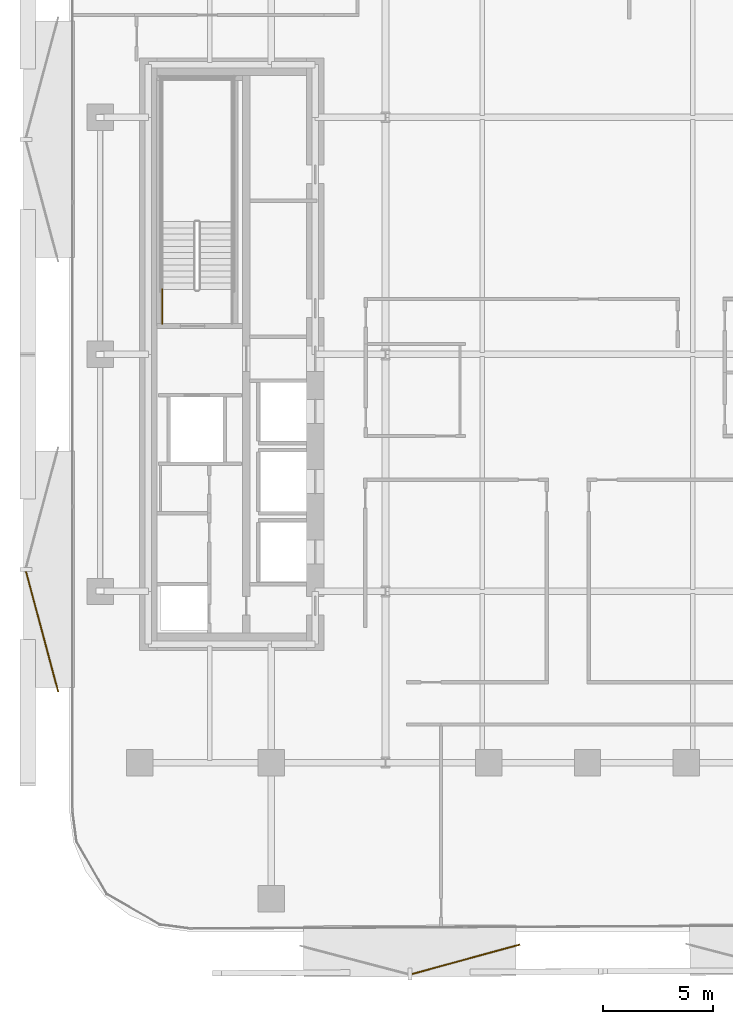
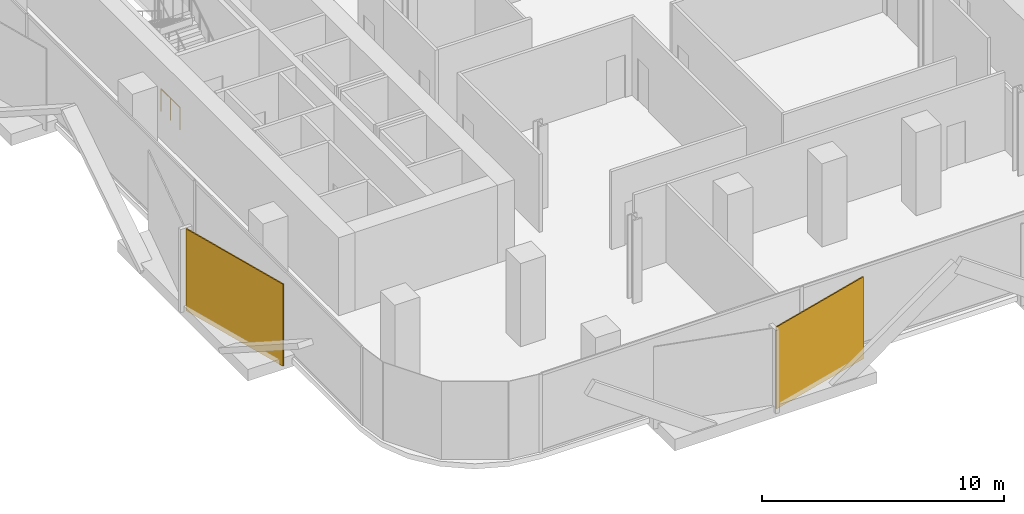
# One storey, part 11 of 15: 2 coverings, 1 railing.
"""IFC4 building model written with IfcOpenShell, lengths in metres."""

from ifc_helpers import new_model, si_unit, direction, frame, origin, origin_2d, place, context, subcontext, project, spatial, rectangle, circle, extrude, material, layer, layer_set, type_object, element, save


model = new_model("IFC4")

# Units and contexts
model_context = context("Model", 3, precision=1e-05, world=origin(), true_north=direction((0.0, 1.0)))
body_context = subcontext(model_context, "Body", "Model", "MODEL_VIEW")
ifc_project = project(units=[si_unit("LENGTHUNIT", "METRE"), si_unit("AREAUNIT", "SQUARE_METRE"), si_unit("VOLUMEUNIT", "CUBIC_METRE"), si_unit("PLANEANGLEUNIT", "RADIAN"), si_unit("MASSUNIT", "GRAM", prefix="KILO")], contexts=[model_context])

# Site, building, storey
site_placement = place(None, origin())
site = spatial("IfcSite", under=ifc_project, at=site_placement, CompositionType="ELEMENT")
building_placement = place(site_placement, origin())
building = spatial("IfcBuilding", under=site, at=building_placement, Name="Khairoan Windgate Tower", CompositionType="ELEMENT")
storey_placement = place(building_placement, frame((0.0, 0.0, 126.800048828125)))
storey = spatial("IfcBuildingStorey", under=building, at=storey_placement, Name="L29", CompositionType="ELEMENT", Elevation=126.800048828125)

# Coverings
ifc_material_1 = material(Name="Anodised Bronze Aluminium 6063-T6", Category="aluminium")
ifc_layer = layer(ifc_material_1, 0.054931640625, Name="Anodised Bronze Aluminium 6063-T6")
ifc_layer_set = layer_set([ifc_layer], Name="Anodised Bronze Aluminium 6063-T6")
covering_type = type_object("IfcCoveringType", Name="Perforated Bronze-Ceramic Folded Solar Screen Cladding BSC-1", PredefinedType="CLADDING", material=ifc_layer_set)
covering_1_placement = place(storey_placement, frame((-5.53564453125, -27.55859375, -0.10009765625), z_axis=(0.0, 0.0, 1.0), x_axis=(-0.964649468762, -0.263536339841, 0.0)))
element("IfcCovering", 1, at=covering_1_placement, inside=storey, type_object=covering_type, Name="L29 Folded Bronze Solar Screen Facet 178L", PredefinedType="CLADDING", context=body_context, shape_type="SweptSolid", body=[
    extrude(rectangle(XDim=5.10107421875, YDim=0.054931640625, at=origin_2d()), origin(), (0.0, 0.0, 1.0), 4.139892578125),
])
covering_2_placement = place(storey_placement, frame((-24.8447265625, -12.629150390625, -0.10009765625), z_axis=(0.0, 0.0, 1.0), x_axis=(-0.258819045103, 0.965925826289, 0.0)))
element("IfcCovering", 2, at=covering_2_placement, inside=storey, type_object=covering_type, Name="L29 Folded Bronze Solar Screen Facet 179L", PredefinedType="CLADDING", context=body_context, shape_type="SweptSolid", body=[
    extrude(rectangle(XDim=5.680908203125, YDim=0.054931640625, at=origin_2d()), origin(), (0.0, 0.0, 1.0), 4.139892578125),
])

# Railing
ifc_material_2 = material(Name="Steel S355", Category="steel")
railing_type = type_object("IfcRailingType", Name="Stairwell Safety Guardrail SGR-1150", PredefinedType="GUARDRAIL", material=ifc_material_2)
railing_placement = place(storey_placement, frame((-19.3701171875, 1.39990234375, 0.0)))
element("IfcRailing", 3, at=railing_placement, inside=storey, type_object=railing_type, Name="L29 ST2 stair guard 9", PredefinedType="GUARDRAIL", context=body_context, shape_type="SweptSolid", body=[
    extrude(circle(Radius=0.02392578125, at=origin_2d()), frame((0.0, 0.0, 1.1259765625), z_axis=(0.0, 1.0, 0.0), x_axis=(-1.0, 0.0, 0.0)), (0.0, 0.0, 1.0), 1.56005859375),
    extrude(circle(Radius=0.02099609375, at=origin_2d()), origin(), (0.0, 0.0, 1.0), 1.101806640625),
    extrude(circle(Radius=0.02099609375, at=origin_2d()), frame((0.0, 0.780029296875, 0.0)), (0.0, 0.0, 1.0), 1.101806640625),
    extrude(circle(Radius=0.02099609375, at=origin_2d()), frame((0.0, 1.56005859375, 0.0)), (0.0, 0.0, 1.0), 1.101806640625),
])

save(model, "model.ifc")
